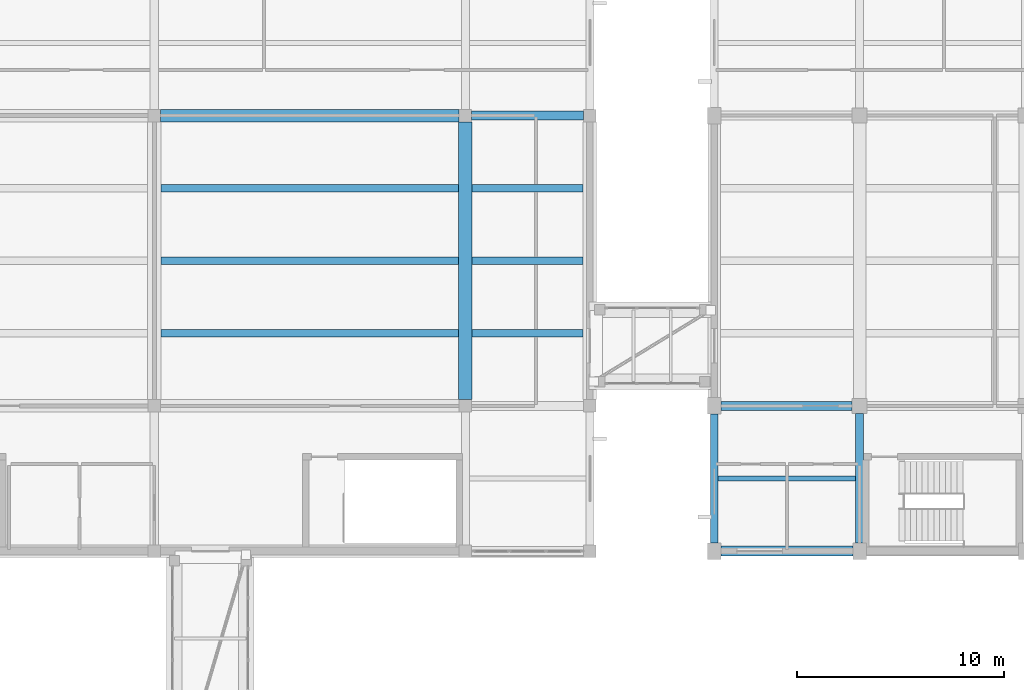
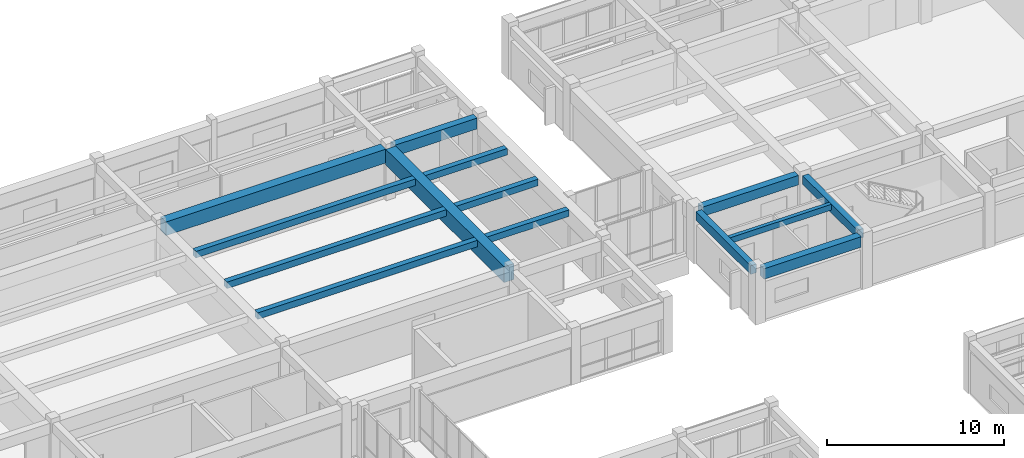
# One storey, part 14 of 66: 14 beams.
"""IFC4 building model written with IfcOpenShell, lengths in metres."""

from ifc_helpers import new_model, si_unit, direction, frame, origin, origin_2d, place, context, subcontext, project, spatial, rectangle, extrude, material, material_profile, profile_set, type_object, element, save


model = new_model("IFC4")

# Units and contexts
model_context = context("Model", 3, precision=1e-05, world=origin(), true_north=direction((0.0, 1.0)))
body_context = subcontext(model_context, "Body", "Model", "MODEL_VIEW")
ifc_project = project(units=[si_unit("LENGTHUNIT", "METRE"), si_unit("AREAUNIT", "SQUARE_METRE"), si_unit("VOLUMEUNIT", "CUBIC_METRE"), si_unit("PLANEANGLEUNIT", "RADIAN"), si_unit("MASSUNIT", "GRAM", prefix="KILO")], contexts=[model_context])

# Site, building, storey
site_placement = place(None, origin())
site = spatial("IfcSite", under=ifc_project, at=site_placement, CompositionType="ELEMENT")
building_placement = place(site_placement, origin())
building = spatial("IfcBuilding", under=site, at=building_placement, Name="Naurynzar Civic Courthouse", CompositionType="ELEMENT")
storey_placement = place(building_placement, frame((0.0, 0.0, 14.39990234375)))
storey = spatial("IfcBuildingStorey", under=building, at=storey_placement, Name="L04", CompositionType="ELEMENT", Elevation=14.39990234375)

# Beams
ifc_material_1 = material(Name="Concrete C40/50", Category="concrete")
ifc_material_profile_1 = material_profile(ifc_material_1, rectangle(XDim=0.449951171875, YDim=0.75, at=origin_2d()), Name="RCF 450x750")
ifc_profile_set_1 = profile_set([ifc_material_profile_1], Name="Concrete C40/50")
beam_type_1 = type_object("IfcBeamType", Name="BM-FLD-450x750", PredefinedType="BEAM", material=ifc_profile_set_1)
beam_1_placement = place(storey_placement, frame((50.300048828125, 65.0, 3.205078125), z_axis=(1.0, 0.0, 0.0), x_axis=(0.0, 1.0, 0.0)))
element("IfcBeam", 1, at=beam_1_placement, inside=storey, type_object=beam_type_1, Name="V1 beam X-236 L04", PredefinedType="BEAM", context=body_context, shape_type="SweptSolid", body=[
    extrude(rectangle(XDim=0.449951171875, YDim=0.75, at=origin_2d()), origin(), (0.0, 0.0, 1.0), 5.39990234375),
])
ifc_material_2 = material(Name="Concrete C40/50", Category="concrete")
ifc_material_profile_2 = material_profile(ifc_material_2, rectangle(XDim=0.25, YDim=0.39990234375, at=origin_2d()), Name="RCB 250x400")
ifc_profile_set_2 = profile_set([ifc_material_profile_2], Name="Concrete C40/50")
beam_type_2 = type_object("IfcBeamType", Name="BM-JST-250x400", PredefinedType="JOIST", material=ifc_profile_set_2)
beam_2_placement = place(storey_placement, frame((62.1875, 47.5, 3.380126953125), z_axis=(1.0, 0.0, 0.0), x_axis=(0.0, 1.0, 0.0)))
element("IfcBeam", 2, at=beam_2_placement, inside=storey, type_object=beam_type_2, Name="V2 secondary rib 713 L04", PredefinedType="JOIST", context=body_context, shape_type="SweptSolid", body=[
    extrude(rectangle(XDim=0.25, YDim=0.39990234375, at=origin_2d()), origin(), (0.0, 0.0, 1.0), 6.625),
])
ifc_material_3 = material(Name="Concrete C40/50", Category="concrete")
ifc_material_profile_3 = material_profile(ifc_material_3, rectangle(XDim=0.60009765625, YDim=0.949951171875, at=origin_2d()), Name="PTB 600x950")
ifc_profile_set_3 = profile_set([ifc_material_profile_3], Name="Concrete C40/50")
beam_type_3 = type_object("IfcBeamType", Name="BM-PT-600x950", PredefinedType="T_BEAM", material=ifc_profile_set_3)
beam_3_placement = place(storey_placement, frame((35.300048828125, 65.0, 3.10498046875), z_axis=(1.0, 0.0, 0.0), x_axis=(0.0, 1.0, 0.0)))
element("IfcBeam", 3, at=beam_3_placement, inside=storey, type_object=beam_type_3, Name="V1 beam X-235 L04", PredefinedType="T_BEAM", context=body_context, shape_type="SweptSolid", body=[
    extrude(rectangle(XDim=0.60009765625, YDim=0.949951171875, at=origin_2d()), origin(), (0.0, 0.0, 1.0), 14.39990234375),
])
ifc_material_4 = material(Name="Concrete C40/50", Category="concrete")
ifc_material_profile_4 = material_profile(ifc_material_4, rectangle(XDim=0.64990234375, YDim=1.10009765625, at=origin_2d()), Name="PTB 650x1100")
ifc_profile_set_4 = profile_set([ifc_material_profile_4], Name="Concrete C40/50")
beam_type_4 = type_object("IfcBeamType", Name="BM-PT-650x1100", PredefinedType="T_BEAM", material=ifc_profile_set_4)
beam_4_placement = place(storey_placement, frame((50.0, 51.300048828125, 3.030029296875), z_axis=(0.0, 1.0, 0.0), x_axis=(-1.0, 0.0, 0.0)))
element("IfcBeam", 4, at=beam_4_placement, inside=storey, type_object=beam_type_4, Name="V1 girder Y-255 L04", PredefinedType="T_BEAM", context=body_context, shape_type="SweptSolid", body=[
    extrude(rectangle(XDim=0.64990234375, YDim=1.10009765625, at=origin_2d()), origin(), (0.0, 0.0, 1.0), 13.39990234375),
])
ifc_material_5 = material(Name="Concrete C40/50", Category="concrete")
ifc_material_profile_5 = material_profile(ifc_material_5, rectangle(XDim=0.35009765625, YDim=0.449951171875, at=origin_2d()), Name="RCB 350x450")
ifc_profile_set_5 = profile_set([ifc_material_profile_5], Name="Concrete C40/50")
beam_type_5 = type_object("IfcBeamType", Name="BM-RC-350x450", PredefinedType="BEAM", material=ifc_profile_set_5)
for number, where, z_axis, x_axis, name in (
    (5, (35.324951171875, 54.5, 3.35498046875), (1.0, 0.0, 0.0), (0.0, 1.0, 0.0), "V1 secondary rib 270 L04"),
    (6, (35.324951171875, 58.0, 3.35498046875), (1.0, 0.0, 0.0), (0.0, 1.0, 0.0), "V1 secondary rib 271 L04"),
    (7, (35.324951171875, 61.5, 3.35498046875), (1.0, 0.0, 0.0), (0.0, 1.0, 0.0), "V1 secondary rib 272 L04"),
):
    element("IfcBeam", number, at=place(storey_placement, frame(where, z_axis=z_axis, x_axis=x_axis)), inside=storey, type_object=beam_type_5, Name=name, PredefinedType="BEAM", context=body_context, shape_type="SweptSolid", body=[
        extrude(rectangle(XDim=0.35009765625, YDim=0.449951171875, at=origin_2d()), origin(), (0.0, 0.0, 1.0), 14.35009765625),
    ])
for number, where, z_axis, x_axis, name in (
    (8, (50.324951171875, 54.5, 3.35498046875), (1.0, 0.0, 0.0), (0.0, 1.0, 0.0), "V1 secondary rib 273 L04"),
    (9, (50.324951171875, 58.0, 3.35498046875), (1.0, 0.0, 0.0), (0.0, 1.0, 0.0), "V1 secondary rib 274 L04"),
    (10, (50.324951171875, 61.5, 3.35498046875), (1.0, 0.0, 0.0), (0.0, 1.0, 0.0), "V1 secondary rib 275 L04"),
):
    element("IfcBeam", number, at=place(storey_placement, frame(where, z_axis=z_axis, x_axis=x_axis)), inside=storey, type_object=beam_type_5, Name=name, PredefinedType="BEAM", context=body_context, shape_type="SweptSolid", body=[
        extrude(rectangle(XDim=0.35009765625, YDim=0.449951171875, at=origin_2d()), origin(), (0.0, 0.0, 1.0), 5.35009765625),
    ])
ifc_material_6 = material(Name="Concrete C40/50", Category="concrete")
ifc_material_profile_6 = material_profile(ifc_material_6, rectangle(XDim=0.375, YDim=0.60009765625, at=origin_2d()), Name="RCB 375x600")
ifc_profile_set_6 = profile_set([ifc_material_profile_6], Name="Concrete C40/50")
beam_type_6 = type_object("IfcBeamType", Name="BM-RC-375x600", PredefinedType="BEAM", material=ifc_profile_set_6)
beam_5_placement = place(storey_placement, frame((62.0, 44.39990234375, 3.280029296875), z_axis=(0.0, 1.0, 0.0), x_axis=(-1.0, 0.0, 0.0)))
element("IfcBeam", 11, at=beam_5_placement, inside=storey, type_object=beam_type_6, Name="V2 girder Y-687 L04", PredefinedType="BEAM", context=body_context, shape_type="SweptSolid", body=[
    extrude(rectangle(XDim=0.375, YDim=0.60009765625, at=origin_2d()), origin(), (0.0, 0.0, 1.0), 6.2001953125),
])
beam_6_placement = place(storey_placement, frame((69.0, 44.39990234375, 3.280029296875), z_axis=(0.0, 1.0, 0.0), x_axis=(-1.0, 0.0, 0.0)))
element("IfcBeam", 12, at=beam_6_placement, inside=storey, type_object=beam_type_6, Name="V2 girder Y-690 L04", PredefinedType="BEAM", context=body_context, shape_type="SweptSolid", body=[
    extrude(rectangle(XDim=0.375, YDim=0.60009765625, at=origin_2d()), origin(), (0.0, 0.0, 1.0), 6.237548828125),
])
ifc_material_7 = material(Name="Concrete C40/50", Category="concrete")
ifc_material_profile_7 = material_profile(ifc_material_7, rectangle(XDim=0.449951171875, YDim=0.64990234375, at=origin_2d()), Name="RCB 450x650")
ifc_profile_set_7 = profile_set([ifc_material_profile_7], Name="Concrete C40/50")
beam_type_7 = type_object("IfcBeamType", Name="BM-RC-450x650", PredefinedType="BEAM", material=ifc_profile_set_7)
beam_7_placement = place(storey_placement, frame((62.324951171875, 51.0, 3.255126953125), z_axis=(1.0, 0.0, 0.0), x_axis=(0.0, 1.0, 0.0)))
element("IfcBeam", 13, at=beam_7_placement, inside=storey, type_object=beam_type_7, Name="V2 beam X-663 L04", PredefinedType="BEAM", context=body_context, shape_type="SweptSolid", body=[
    extrude(rectangle(XDim=0.449951171875, YDim=0.64990234375, at=origin_2d()), origin(), (0.0, 0.0, 1.0), 6.3125),
])
ifc_material_8 = material(Name="Concrete C40/50", Category="concrete")
ifc_material_profile_8 = material_profile(ifc_material_8, rectangle(XDim=0.47509765625, YDim=0.72509765625, at=origin_2d()), Name="RCB 475x725")
ifc_profile_set_8 = profile_set([ifc_material_profile_8], Name="Concrete C40/50")
beam_type_8 = type_object("IfcBeamType", Name="BM-RC-475x725", PredefinedType="SPANDREL", material=ifc_profile_set_8)
beam_8_placement = place(storey_placement, frame((62.324951171875, 44.0, 3.217529296875), z_axis=(1.0, 0.0, 0.0), x_axis=(0.0, 1.0, 0.0)))
element("IfcBeam", 14, at=beam_8_placement, inside=storey, type_object=beam_type_8, Name="V2 beam X-655 L04", PredefinedType="SPANDREL", context=body_context, shape_type="SweptSolid", body=[
    extrude(rectangle(XDim=0.47509765625, YDim=0.72509765625, at=origin_2d()), origin(), (0.0, 0.0, 1.0), 6.35009765625),
])

save(model, "model.ifc")
